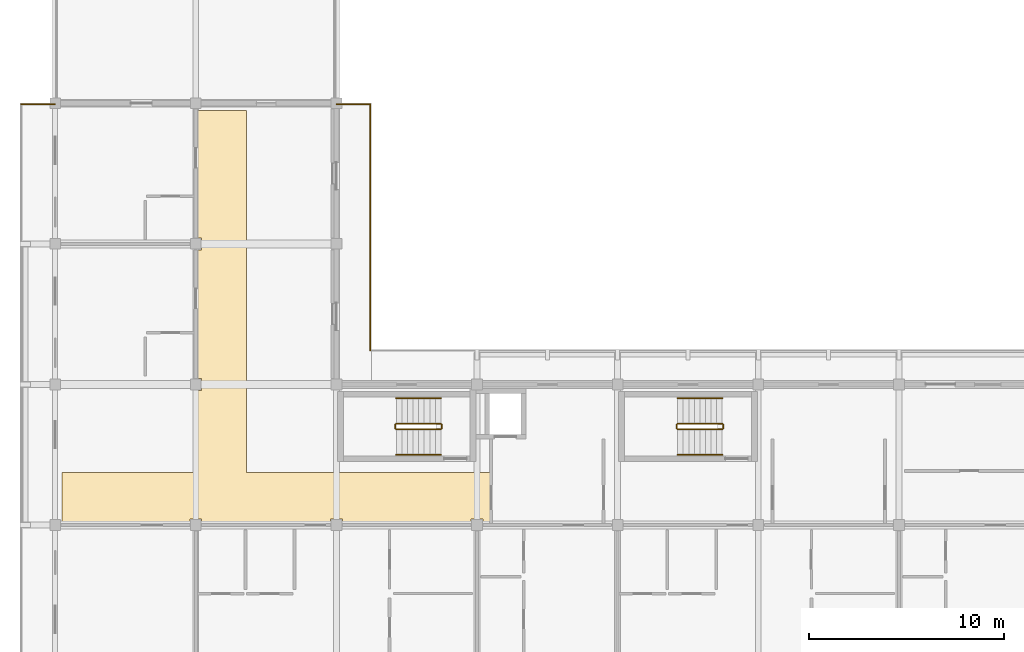
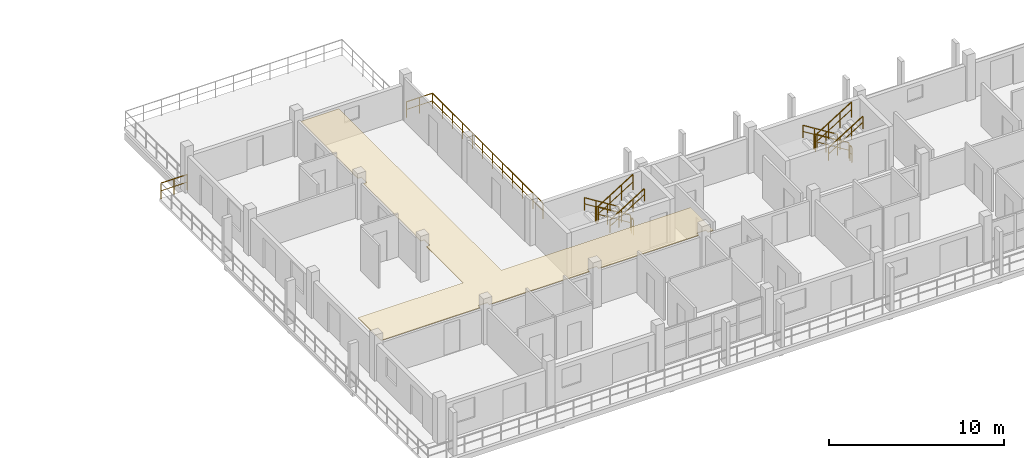
# One storey, part 55 of 67: 15 railings, 1 covering.
"""IFC4 building model written with IfcOpenShell, lengths in metres."""

from ifc_helpers import new_model, si_unit, direction, frame, origin, origin_2d, place, context, subcontext, project, spatial, polyline, rectangle, outline, extrude, material, layer, layer_set, type_object, element, save


model = new_model("IFC4")

# Units and contexts
model_context = context("Model", 3, precision=1e-05, world=origin(), true_north=direction((0.0, 1.0)))
body_context = subcontext(model_context, "Body", "Model", "MODEL_VIEW")
ifc_project = project(units=[si_unit("LENGTHUNIT", "METRE"), si_unit("AREAUNIT", "SQUARE_METRE"), si_unit("VOLUMEUNIT", "CUBIC_METRE"), si_unit("PLANEANGLEUNIT", "RADIAN"), si_unit("MASSUNIT", "GRAM", prefix="KILO")], contexts=[model_context])

# Site, building, storey
site_placement = place(None, origin())
site = spatial("IfcSite", under=ifc_project, at=site_placement, CompositionType="ELEMENT")
building_placement = place(site_placement, origin())
building = spatial("IfcBuilding", under=site, at=building_placement, Name="Suanplinth Sawtooth Commons", CompositionType="ELEMENT")
storey_placement = place(building_placement, frame((0.0, 0.0, 25.10009765625)))
storey = spatial("IfcBuildingStorey", under=building, at=storey_placement, Name="L07", CompositionType="ELEMENT", Elevation=25.10009765625)

# Covering
ifc_material_1 = material(Name="Mineral fibre acoustic tile")
ifc_layer = layer(ifc_material_1, 0.0400390625, Name="Perforated mineral-fibre acoustic suspended ceiling")
ifc_layer_set = layer_set([ifc_layer], Name="Mineral fibre acoustic tile")
covering_type = type_object("IfcCoveringType", Name="CV-CE01", PredefinedType="CEILING", material=ifc_layer_set)
covering_placement = place(storey_placement, frame((0.0, 0.0, 2.3798828125)))
element("IfcCovering", 1, at=covering_placement, inside=storey, type_object=covering_type, Name="L07 Block D Corridor Acoustic Ceiling", PredefinedType="CEILING", context=body_context, shape_type="SweptSolid", body=[
    extrude(outline(polyline([(0.360107421875, 9.89990234375), (7.280029296875, 9.89990234375), (7.280029296875, 14.094970703125), (7.5048828125, 14.094970703125), (7.5048828125, 14.705078125), (7.280029296875, 14.705078125), (7.280029296875, 21.294921875), (7.5048828125, 21.294921875), (7.5048828125, 21.905029296875), (7.280029296875, 21.905029296875), (7.280029296875, 28.43994140625), (9.800048828125, 28.43994140625), (9.800048828125, 9.89990234375), (22.280029296875, 9.89990234375), (22.280029296875, 7.280029296875), (21.905029296875, 7.280029296875), (21.905029296875, 7.5048828125), (21.294921875, 7.5048828125), (21.294921875, 7.280029296875), (14.705078125, 7.280029296875), (14.705078125, 7.5048828125), (14.094970703125, 7.5048828125), (14.094970703125, 7.280029296875), (7.5048828125, 7.280029296875), (7.5048828125, 7.5048828125), (6.89501953125, 7.5048828125), (6.89501953125, 7.280029296875), (0.360107421875, 7.280029296875), (0.360107421875, 9.89990234375)])), origin(), (0.0, 0.0, 1.0), 0.0400390625),
])

# Railings
ifc_material_2 = material(Name="Powder-coated galvanized steel", Category="steel")
railing_type_1 = type_object("IfcRailingType", Name="GR-01", PredefinedType="BALUSTRADE", material=ifc_material_2)
for number, where, name in (
    (2, (-1.739990234375, 28.739990234375, 0.0), "L07 Block D Perimeter Balustrade 2"),
    (3, (14.419921875, 28.739990234375, 0.0), "L07 Block D Perimeter Balustrade 6"),
):
    element("IfcRailing", number, at=place(storey_placement, frame(where)), inside=storey, type_object=railing_type_1, Name=name, PredefinedType="BALUSTRADE", context=body_context, shape_type="SweptSolid", body=[
        extrude(rectangle(XDim=0.048095703125, YDim=0.048095703125, at=origin_2d()), frame((0.0, 0.0, 1.09619140625), z_axis=(1.0, 0.0, 0.0), x_axis=(0.0, 1.0, 0.0)), (0.0, 0.0, 1.0), 1.719970703125),
        extrude(rectangle(XDim=0.03369140625, YDim=0.03369140625, at=origin_2d()), frame((0.0, 0.0, 0.56005859375), z_axis=(1.0, 0.0, 0.0), x_axis=(0.0, 1.0, 0.0)), (0.0, 0.0, 1.0), 1.719970703125),
        extrude(rectangle(XDim=0.0419921875, YDim=0.0419921875, at=origin_2d()), origin(), (0.0, 0.0, 1.0), 1.072021484375),
        extrude(rectangle(XDim=0.0419921875, YDim=0.0419921875, at=origin_2d()), frame((0.85986328125, 0.0, 0.0)), (0.0, 0.0, 1.0), 1.072021484375),
        extrude(rectangle(XDim=0.0419921875, YDim=0.0419921875, at=origin_2d()), frame((1.719970703125, 0.0, 0.0)), (0.0, 0.0, 1.0), 1.072021484375),
    ])
railing_1_placement = place(storey_placement, frame((16.139892578125, 28.739990234375, 0.0)))
element("IfcRailing", 4, at=railing_1_placement, inside=storey, type_object=railing_type_1, Name="L07 Block D Perimeter Balustrade 7", PredefinedType="BALUSTRADE", context=body_context, shape_type="SweptSolid", body=[
    extrude(rectangle(XDim=0.048095703125, YDim=0.048095703125, at=origin_2d()), frame((0.0, 0.0, 1.09619140625), z_axis=(0.0, -1.0, 0.0), x_axis=(1.0, 0.0, 0.0)), (0.0, 0.0, 1.0), 12.60009765625),
    extrude(rectangle(XDim=0.03369140625, YDim=0.03369140625, at=origin_2d()), frame((0.0, 0.0, 0.56005859375), z_axis=(0.0, -1.0, 0.0), x_axis=(1.0, 0.0, 0.0)), (0.0, 0.0, 1.0), 12.60009765625),
    extrude(rectangle(XDim=0.0419921875, YDim=0.0419921875, at=origin_2d()), origin(), (0.0, 0.0, 1.0), 1.072021484375),
    extrude(rectangle(XDim=0.0419921875, YDim=0.0419921875, at=origin_2d()), frame((0.0, -1.1455078125, 0.0)), (0.0, 0.0, 1.0), 1.072021484375),
    extrude(rectangle(XDim=0.0419921875, YDim=0.0419921875, at=origin_2d()), frame((0.0, -2.291015625, 0.0)), (0.0, 0.0, 1.0), 1.072021484375),
    extrude(rectangle(XDim=0.0419921875, YDim=0.0419921875, at=origin_2d()), frame((0.0, -3.436279296875, 0.0)), (0.0, 0.0, 1.0), 1.072021484375),
    extrude(rectangle(XDim=0.0419921875, YDim=0.0419921875, at=origin_2d()), frame((0.0, -4.581787109375, 0.0)), (0.0, 0.0, 1.0), 1.072021484375),
    extrude(rectangle(XDim=0.0419921875, YDim=0.0419921875, at=origin_2d()), frame((0.0, -5.727294921875, 0.0)), (0.0, 0.0, 1.0), 1.072021484375),
    extrude(rectangle(XDim=0.0419921875, YDim=0.0419921875, at=origin_2d()), frame((0.0, -6.872802734375, 0.0)), (0.0, 0.0, 1.0), 1.072021484375),
    extrude(rectangle(XDim=0.0419921875, YDim=0.0419921875, at=origin_2d()), frame((0.0, -8.018310546875, 0.0)), (0.0, 0.0, 1.0), 1.072021484375),
    extrude(rectangle(XDim=0.0419921875, YDim=0.0419921875, at=origin_2d()), frame((0.0, -9.163818359375, 0.0)), (0.0, 0.0, 1.0), 1.072021484375),
    extrude(rectangle(XDim=0.0419921875, YDim=0.0419921875, at=origin_2d()), frame((0.0, -10.30908203125, 0.0)), (0.0, 0.0, 1.0), 1.072021484375),
    extrude(rectangle(XDim=0.0419921875, YDim=0.0419921875, at=origin_2d()), frame((0.0, -11.45458984375, 0.0)), (0.0, 0.0, 1.0), 1.072021484375),
    extrude(rectangle(XDim=0.0419921875, YDim=0.0419921875, at=origin_2d()), frame((0.0, -12.60009765625, 0.0)), (0.0, 0.0, 1.0), 1.072021484375),
])
ifc_material_3 = material(Name="Stainless steel Grade 304", Category="steel")
railing_type_2 = type_object("IfcRailingType", Name="GR-04", PredefinedType="GUARDRAIL", material=ifc_material_3)
railing_2_placement = place(storey_placement, frame((19.75, 12.39990234375, 0.177734375)))
element("IfcRailing", 5, at=railing_2_placement, inside=storey, type_object=railing_type_2, Name="L07 ST-W1 Guard 1", PredefinedType="GUARDRAIL", context=body_context, shape_type="SweptSolid", body=[
    extrude(rectangle(XDim=0.048095703125, YDim=0.048095703125, at=origin_2d()), frame((0.0, 0.0, 1.076171875), z_axis=(-0.848482842525, 0.0, 0.529222888715), x_axis=(0.0, -1.0, 0.0)), (0.0, 0.0, 1.0), 2.687255859375),
    extrude(rectangle(XDim=0.03369140625, YDim=0.03369140625, at=origin_2d()), frame((0.0, 0.0, 0.550048828125), z_axis=(-0.848482842525, 0.0, 0.529222888715), x_axis=(0.0, -1.0, 0.0)), (0.0, 0.0, 1.0), 2.687255859375),
    extrude(rectangle(XDim=0.0419921875, YDim=0.0419921875, at=origin_2d()), origin(), (0.0, 0.0, 1.0), 1.052001953125),
    extrude(rectangle(XDim=0.0419921875, YDim=0.0419921875, at=origin_2d()), frame((-0.760009765625, 0.0, 0.47412109375)), (0.0, 0.0, 1.0), 1.052001953125),
    extrude(rectangle(XDim=0.0419921875, YDim=0.0419921875, at=origin_2d()), frame((-1.52001953125, 0.0, 0.947998046875)), (0.0, 0.0, 1.0), 1.052001953125),
    extrude(rectangle(XDim=0.0419921875, YDim=0.0419921875, at=origin_2d()), frame((-2.280029296875, 0.0, 1.422119140625)), (0.0, 0.0, 1.0), 1.052001953125),
])
railing_3_placement = place(storey_placement, frame((17.419921875, 12.35009765625, 1.599853515625)))
element("IfcRailing", 6, at=railing_3_placement, inside=storey, type_object=railing_type_2, Name="L07 ST-W1 Guard 2", PredefinedType="GUARDRAIL", context=body_context, shape_type="SweptSolid", body=[
    extrude(rectangle(XDim=0.048095703125, YDim=0.048095703125, at=origin_2d()), frame((0.0, 0.0, 1.076171875), z_axis=(0.0, -1.0, 0.0), x_axis=(1.0, 0.0, 0.0)), (0.0, 0.0, 1.0), 0.2001953125),
    extrude(rectangle(XDim=0.03369140625, YDim=0.03369140625, at=origin_2d()), frame((0.0, 0.0, 0.550048828125), z_axis=(0.0, -1.0, 0.0), x_axis=(1.0, 0.0, 0.0)), (0.0, 0.0, 1.0), 0.2001953125),
    extrude(rectangle(XDim=0.0419921875, YDim=0.0419921875, at=origin_2d()), origin(), (0.0, 0.0, 1.0), 1.052001953125),
    extrude(rectangle(XDim=0.0419921875, YDim=0.0419921875, at=origin_2d()), frame((0.0, -0.2001953125, 0.0)), (0.0, 0.0, 1.0), 1.052001953125),
])
railing_4_placement = place(storey_placement, frame((17.469970703125, 12.10009765625, 1.777587890625)))
element("IfcRailing", 7, at=railing_4_placement, inside=storey, type_object=railing_type_2, Name="L07 ST-W1 Guard 3", PredefinedType="GUARDRAIL", context=body_context, shape_type="SweptSolid", body=[
    extrude(rectangle(XDim=0.048095703125, YDim=0.048095703125, at=origin_2d()), frame((0.0, 0.0, 1.076171875), z_axis=(0.848442045328, 0.0, 0.529288291689), x_axis=(0.0, 1.0, 0.0)), (0.0, 0.0, 1.0), 2.687255859375),
    extrude(rectangle(XDim=0.03369140625, YDim=0.03369140625, at=origin_2d()), frame((0.0, 0.0, 0.550048828125), z_axis=(0.848442045328, 0.0, 0.529288291689), x_axis=(0.0, 1.0, 0.0)), (0.0, 0.0, 1.0), 2.687255859375),
    extrude(rectangle(XDim=0.0419921875, YDim=0.0419921875, at=origin_2d()), origin(), (0.0, 0.0, 1.0), 1.052001953125),
    extrude(rectangle(XDim=0.0419921875, YDim=0.0419921875, at=origin_2d()), frame((0.760009765625, 0.0, 0.47412109375)), (0.0, 0.0, 1.0), 1.052001953125),
    extrude(rectangle(XDim=0.0419921875, YDim=0.0419921875, at=origin_2d()), frame((1.52001953125, 0.0, 0.9482421875)), (0.0, 0.0, 1.0), 1.052001953125),
    extrude(rectangle(XDim=0.0419921875, YDim=0.0419921875, at=origin_2d()), frame((2.280029296875, 0.0, 1.42236328125)), (0.0, 0.0, 1.0), 1.052001953125),
])
railing_5_placement = place(storey_placement, frame((19.800048828125, 12.35009765625, 0.0)))
element("IfcRailing", 8, at=railing_5_placement, inside=storey, type_object=railing_type_2, Name="L07 ST-W1 Guard 4", PredefinedType="GUARDRAIL", context=body_context, shape_type="SweptSolid", body=[
    extrude(rectangle(XDim=0.048095703125, YDim=0.048095703125, at=origin_2d()), frame((0.0, 0.0, 1.076171875), z_axis=(0.0, -1.0, 0.0), x_axis=(1.0, 0.0, 0.0)), (0.0, 0.0, 1.0), 0.2001953125),
    extrude(rectangle(XDim=0.03369140625, YDim=0.03369140625, at=origin_2d()), frame((0.0, 0.0, 0.550048828125), z_axis=(0.0, -1.0, 0.0), x_axis=(1.0, 0.0, 0.0)), (0.0, 0.0, 1.0), 0.2001953125),
    extrude(rectangle(XDim=0.0419921875, YDim=0.0419921875, at=origin_2d()), origin(), (0.0, 0.0, 1.0), 1.052001953125),
    extrude(rectangle(XDim=0.0419921875, YDim=0.0419921875, at=origin_2d()), frame((0.0, -0.2001953125, 0.0)), (0.0, 0.0, 1.0), 1.052001953125),
])
railing_6_placement = place(storey_placement, frame((34.14990234375, 12.39990234375, 0.177734375)))
element("IfcRailing", 9, at=railing_6_placement, inside=storey, type_object=railing_type_2, Name="L07 ST-W2 Guard 1", PredefinedType="GUARDRAIL", context=body_context, shape_type="SweptSolid", body=[
    extrude(rectangle(XDim=0.048095703125, YDim=0.048095703125, at=origin_2d()), frame((0.0, 0.0, 1.076171875), z_axis=(-0.848457393559, 0.0, 0.529263687886), x_axis=(0.0, -1.0, 0.0)), (0.0, 0.0, 1.0), 2.68701171875),
    extrude(rectangle(XDim=0.03369140625, YDim=0.03369140625, at=origin_2d()), frame((0.0, 0.0, 0.550048828125), z_axis=(-0.848457393559, 0.0, 0.529263687886), x_axis=(0.0, -1.0, 0.0)), (0.0, 0.0, 1.0), 2.68701171875),
    extrude(rectangle(XDim=0.0419921875, YDim=0.0419921875, at=origin_2d()), origin(), (0.0, 0.0, 1.0), 1.052001953125),
    extrude(rectangle(XDim=0.0419921875, YDim=0.0419921875, at=origin_2d()), frame((-0.760009765625, 0.0, 0.47412109375)), (0.0, 0.0, 1.0), 1.052001953125),
    extrude(rectangle(XDim=0.0419921875, YDim=0.0419921875, at=origin_2d()), frame((-1.519775390625, 0.0, 0.947998046875)), (0.0, 0.0, 1.0), 1.052001953125),
    extrude(rectangle(XDim=0.0419921875, YDim=0.0419921875, at=origin_2d()), frame((-2.27978515625, 0.0, 1.422119140625)), (0.0, 0.0, 1.0), 1.052001953125),
])
railing_7_placement = place(storey_placement, frame((31.820068359375, 12.35009765625, 1.599853515625)))
element("IfcRailing", 10, at=railing_7_placement, inside=storey, type_object=railing_type_2, Name="L07 ST-W2 Guard 2", PredefinedType="GUARDRAIL", context=body_context, shape_type="SweptSolid", body=[
    extrude(rectangle(XDim=0.048095703125, YDim=0.048095703125, at=origin_2d()), frame((0.0, 0.0, 1.076171875), z_axis=(0.0, -1.0, 0.0), x_axis=(1.0, 0.0, 0.0)), (0.0, 0.0, 1.0), 0.2001953125),
    extrude(rectangle(XDim=0.03369140625, YDim=0.03369140625, at=origin_2d()), frame((0.0, 0.0, 0.550048828125), z_axis=(0.0, -1.0, 0.0), x_axis=(1.0, 0.0, 0.0)), (0.0, 0.0, 1.0), 0.2001953125),
    extrude(rectangle(XDim=0.0419921875, YDim=0.0419921875, at=origin_2d()), origin(), (0.0, 0.0, 1.0), 1.052001953125),
    extrude(rectangle(XDim=0.0419921875, YDim=0.0419921875, at=origin_2d()), frame((0.0, -0.2001953125, 0.0)), (0.0, 0.0, 1.0), 1.052001953125),
])
railing_8_placement = place(storey_placement, frame((31.8701171875, 12.10009765625, 1.777587890625)))
element("IfcRailing", 11, at=railing_8_placement, inside=storey, type_object=railing_type_2, Name="L07 ST-W2 Guard 3", PredefinedType="GUARDRAIL", context=body_context, shape_type="SweptSolid", body=[
    extrude(rectangle(XDim=0.048095703125, YDim=0.048095703125, at=origin_2d()), frame((0.0, 0.0, 1.076171875), z_axis=(0.848416591296, 0.0, 0.529329091978), x_axis=(0.0, 1.0, 0.0)), (0.0, 0.0, 1.0), 2.68701171875),
    extrude(rectangle(XDim=0.03369140625, YDim=0.03369140625, at=origin_2d()), frame((0.0, 0.0, 0.550048828125), z_axis=(0.848416591296, 0.0, 0.529329091978), x_axis=(0.0, 1.0, 0.0)), (0.0, 0.0, 1.0), 2.68701171875),
    extrude(rectangle(XDim=0.0419921875, YDim=0.0419921875, at=origin_2d()), origin(), (0.0, 0.0, 1.0), 1.052001953125),
    extrude(rectangle(XDim=0.0419921875, YDim=0.0419921875, at=origin_2d()), frame((0.760009765625, 0.0, 0.47412109375)), (0.0, 0.0, 1.0), 1.052001953125),
    extrude(rectangle(XDim=0.0419921875, YDim=0.0419921875, at=origin_2d()), frame((1.519775390625, 0.0, 0.9482421875)), (0.0, 0.0, 1.0), 1.052001953125),
    extrude(rectangle(XDim=0.0419921875, YDim=0.0419921875, at=origin_2d()), frame((2.27978515625, 0.0, 1.42236328125)), (0.0, 0.0, 1.0), 1.052001953125),
])
railing_9_placement = place(storey_placement, frame((34.199951171875, 12.35009765625, 0.0)))
element("IfcRailing", 12, at=railing_9_placement, inside=storey, type_object=railing_type_2, Name="L07 ST-W2 Guard 4", PredefinedType="GUARDRAIL", context=body_context, shape_type="SweptSolid", body=[
    extrude(rectangle(XDim=0.048095703125, YDim=0.048095703125, at=origin_2d()), frame((0.0, 0.0, 1.076171875), z_axis=(0.0, -1.0, 0.0), x_axis=(1.0, 0.0, 0.0)), (0.0, 0.0, 1.0), 0.2001953125),
    extrude(rectangle(XDim=0.03369140625, YDim=0.03369140625, at=origin_2d()), frame((0.0, 0.0, 0.550048828125), z_axis=(0.0, -1.0, 0.0), x_axis=(1.0, 0.0, 0.0)), (0.0, 0.0, 1.0), 0.2001953125),
    extrude(rectangle(XDim=0.0419921875, YDim=0.0419921875, at=origin_2d()), origin(), (0.0, 0.0, 1.0), 1.052001953125),
    extrude(rectangle(XDim=0.0419921875, YDim=0.0419921875, at=origin_2d()), frame((0.0, -0.2001953125, 0.0)), (0.0, 0.0, 1.0), 1.052001953125),
])
railing_type_3 = type_object("IfcRailingType", Name="HR-01", PredefinedType="HANDRAIL", material=ifc_material_3)
railing_10_placement = place(storey_placement, frame((19.75, 13.699951171875, 0.177734375)))
element("IfcRailing", 13, at=railing_10_placement, inside=storey, type_object=railing_type_3, Name="L07 ST-W1 Handrail 1", PredefinedType="HANDRAIL", context=body_context, shape_type="SweptSolid", body=[
    extrude(rectangle(XDim=0.048095703125, YDim=0.048095703125, at=origin_2d()), frame((0.0, 0.0, 0.8759765625), z_axis=(-0.848482842525, 0.0, 0.529222888715), x_axis=(0.0, -1.0, 0.0)), (0.0, 0.0, 1.0), 2.687255859375),
    extrude(rectangle(XDim=0.03369140625, YDim=0.03369140625, at=origin_2d()), frame((0.0, 0.0, 0.449951171875), z_axis=(-0.848482842525, 0.0, 0.529222888715), x_axis=(0.0, -1.0, 0.0)), (0.0, 0.0, 1.0), 2.687255859375),
    extrude(rectangle(XDim=0.0419921875, YDim=0.0419921875, at=origin_2d()), origin(), (0.0, 0.0, 1.0), 0.851806640625),
    extrude(rectangle(XDim=0.0419921875, YDim=0.0419921875, at=origin_2d()), frame((-0.760009765625, 0.0, 0.47412109375)), (0.0, 0.0, 1.0), 0.851806640625),
    extrude(rectangle(XDim=0.0419921875, YDim=0.0419921875, at=origin_2d()), frame((-1.52001953125, 0.0, 0.947998046875)), (0.0, 0.0, 1.0), 0.851806640625),
    extrude(rectangle(XDim=0.0419921875, YDim=0.0419921875, at=origin_2d()), frame((-2.280029296875, 0.0, 1.422119140625)), (0.0, 0.0, 1.0), 0.851806640625),
])
railing_11_placement = place(storey_placement, frame((17.469970703125, 10.800048828125, 1.777587890625)))
element("IfcRailing", 14, at=railing_11_placement, inside=storey, type_object=railing_type_3, Name="L07 ST-W1 Handrail 2", PredefinedType="HANDRAIL", context=body_context, shape_type="SweptSolid", body=[
    extrude(rectangle(XDim=0.048095703125, YDim=0.048095703125, at=origin_2d()), frame((0.0, 0.0, 0.8759765625), z_axis=(0.848442045328, 0.0, 0.529288291689), x_axis=(0.0, 1.0, 0.0)), (0.0, 0.0, 1.0), 2.687255859375),
    extrude(rectangle(XDim=0.03369140625, YDim=0.03369140625, at=origin_2d()), frame((0.0, 0.0, 0.449951171875), z_axis=(0.848442045328, 0.0, 0.529288291689), x_axis=(0.0, 1.0, 0.0)), (0.0, 0.0, 1.0), 2.687255859375),
    extrude(rectangle(XDim=0.0419921875, YDim=0.0419921875, at=origin_2d()), origin(), (0.0, 0.0, 1.0), 0.851806640625),
    extrude(rectangle(XDim=0.0419921875, YDim=0.0419921875, at=origin_2d()), frame((0.760009765625, 0.0, 0.47412109375)), (0.0, 0.0, 1.0), 0.851806640625),
    extrude(rectangle(XDim=0.0419921875, YDim=0.0419921875, at=origin_2d()), frame((1.52001953125, 0.0, 0.9482421875)), (0.0, 0.0, 1.0), 0.851806640625),
    extrude(rectangle(XDim=0.0419921875, YDim=0.0419921875, at=origin_2d()), frame((2.280029296875, 0.0, 1.42236328125)), (0.0, 0.0, 1.0), 0.851806640625),
])
railing_12_placement = place(storey_placement, frame((34.14990234375, 13.699951171875, 0.177734375)))
element("IfcRailing", 15, at=railing_12_placement, inside=storey, type_object=railing_type_3, Name="L07 ST-W2 Handrail 1", PredefinedType="HANDRAIL", context=body_context, shape_type="SweptSolid", body=[
    extrude(rectangle(XDim=0.048095703125, YDim=0.048095703125, at=origin_2d()), frame((0.0, 0.0, 0.8759765625), z_axis=(-0.848457393559, 0.0, 0.529263687886), x_axis=(0.0, -1.0, 0.0)), (0.0, 0.0, 1.0), 2.68701171875),
    extrude(rectangle(XDim=0.03369140625, YDim=0.03369140625, at=origin_2d()), frame((0.0, 0.0, 0.449951171875), z_axis=(-0.848457393559, 0.0, 0.529263687886), x_axis=(0.0, -1.0, 0.0)), (0.0, 0.0, 1.0), 2.68701171875),
    extrude(rectangle(XDim=0.0419921875, YDim=0.0419921875, at=origin_2d()), origin(), (0.0, 0.0, 1.0), 0.851806640625),
    extrude(rectangle(XDim=0.0419921875, YDim=0.0419921875, at=origin_2d()), frame((-0.760009765625, 0.0, 0.47412109375)), (0.0, 0.0, 1.0), 0.851806640625),
    extrude(rectangle(XDim=0.0419921875, YDim=0.0419921875, at=origin_2d()), frame((-1.519775390625, 0.0, 0.947998046875)), (0.0, 0.0, 1.0), 0.851806640625),
    extrude(rectangle(XDim=0.0419921875, YDim=0.0419921875, at=origin_2d()), frame((-2.27978515625, 0.0, 1.422119140625)), (0.0, 0.0, 1.0), 0.851806640625),
])
railing_13_placement = place(storey_placement, frame((31.8701171875, 10.800048828125, 1.777587890625)))
element("IfcRailing", 16, at=railing_13_placement, inside=storey, type_object=railing_type_3, Name="L07 ST-W2 Handrail 2", PredefinedType="HANDRAIL", context=body_context, shape_type="SweptSolid", body=[
    extrude(rectangle(XDim=0.048095703125, YDim=0.048095703125, at=origin_2d()), frame((0.0, 0.0, 0.8759765625), z_axis=(0.848416591296, 0.0, 0.529329091978), x_axis=(0.0, 1.0, 0.0)), (0.0, 0.0, 1.0), 2.68701171875),
    extrude(rectangle(XDim=0.03369140625, YDim=0.03369140625, at=origin_2d()), frame((0.0, 0.0, 0.449951171875), z_axis=(0.848416591296, 0.0, 0.529329091978), x_axis=(0.0, 1.0, 0.0)), (0.0, 0.0, 1.0), 2.68701171875),
    extrude(rectangle(XDim=0.0419921875, YDim=0.0419921875, at=origin_2d()), origin(), (0.0, 0.0, 1.0), 0.851806640625),
    extrude(rectangle(XDim=0.0419921875, YDim=0.0419921875, at=origin_2d()), frame((0.760009765625, 0.0, 0.47412109375)), (0.0, 0.0, 1.0), 0.851806640625),
    extrude(rectangle(XDim=0.0419921875, YDim=0.0419921875, at=origin_2d()), frame((1.519775390625, 0.0, 0.9482421875)), (0.0, 0.0, 1.0), 0.851806640625),
    extrude(rectangle(XDim=0.0419921875, YDim=0.0419921875, at=origin_2d()), frame((2.27978515625, 0.0, 1.42236328125)), (0.0, 0.0, 1.0), 0.851806640625),
])

save(model, "model.ifc")
